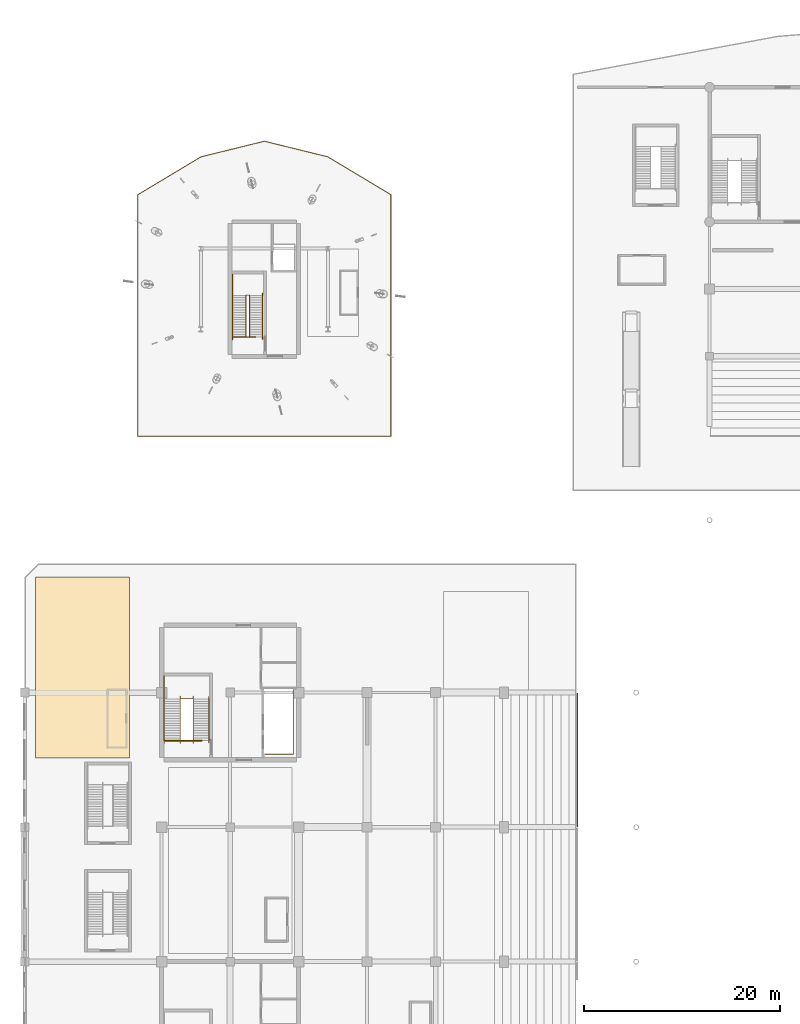
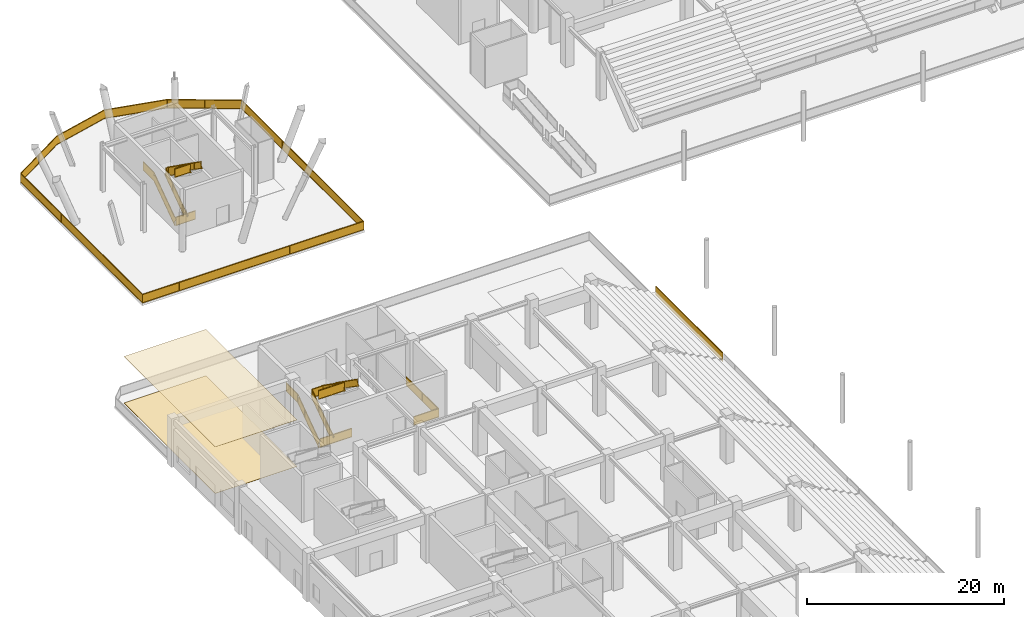
# One storey, part 68 of 73: 11 railings, 2 coverings.
"""IFC4 building model written with IfcOpenShell, lengths in metres."""

from ifc_helpers import new_model, si_unit, direction, frame, origin, origin_2d, place, context, subcontext, project, spatial, polyline, rectangle, outline, extrude, material, layer, layer_set, type_object, element, save


model = new_model("IFC4")

# Units and contexts
model_context = context("Model", 3, precision=1e-05, world=origin(), true_north=direction((0.0, 1.0)))
body_context = subcontext(model_context, "Body", "Model", "MODEL_VIEW")
ifc_project = project(units=[si_unit("LENGTHUNIT", "METRE"), si_unit("AREAUNIT", "SQUARE_METRE"), si_unit("VOLUMEUNIT", "CUBIC_METRE"), si_unit("PLANEANGLEUNIT", "RADIAN"), si_unit("MASSUNIT", "GRAM", prefix="KILO")], contexts=[model_context])

# Site, building, storey
site_placement = place(None, origin())
site = spatial("IfcSite", under=ifc_project, at=site_placement, CompositionType="ELEMENT")
building_placement = place(site_placement, origin())
building = spatial("IfcBuilding", under=site, at=building_placement, Name="Linyun Crest Stadium", CompositionType="ELEMENT")
storey_placement = place(building_placement, origin())
storey = spatial("IfcBuildingStorey", under=building, at=storey_placement, Name="L01", CompositionType="ELEMENT", Elevation=0.0)

# Coverings
ifc_material_1 = material(Name="Anodized aluminium baffle acoustic ceiling", Category="aluminium")
ifc_layer_1 = layer(ifc_material_1, 0.030029296875)
ifc_layer_set_1 = layer_set([ifc_layer_1], Name="Anodized aluminium baffle acoustic ceiling")
covering_type_1 = type_object("IfcCoveringType", Name="CLG02", PredefinedType="CEILING", material=ifc_layer_set_1)
covering_1_placement = place(storey_placement, frame((0.0, 0.0, 5.75)))
element("IfcCovering", 1, at=covering_1_placement, inside=storey, type_object=covering_type_1, Name="Suspended acoustic ceiling CLG02 9", PredefinedType="CEILING", context=body_context, shape_type="SweptSolid", body=[
    extrude(outline(polyline([(-96.89990234375, 36.699951171875), (-87.300048828125, 36.699951171875), (-87.300048828125, 55.199951171875), (-96.89990234375, 55.199951171875), (-96.89990234375, 36.699951171875)])), origin(), (0.0, 0.0, 1.0), 0.030029296875),
])
ifc_material_2 = material(Name="Polymeric cushioned multi-sport athletic flooring")
ifc_layer_2 = layer(ifc_material_2, 0.01806640625)
ifc_layer_set_2 = layer_set([ifc_layer_2], Name="Polymeric cushioned multi-sport athletic flooring")
covering_type_2 = type_object("IfcCoveringType", Name="FLR01", PredefinedType="FLOORING", material=ifc_layer_set_2)
covering_2_placement = place(storey_placement, origin())
element("IfcCovering", 2, at=covering_2_placement, inside=storey, type_object=covering_type_2, Name="Athletic flooring FLR01 8", PredefinedType="FLOORING", context=body_context, shape_type="SweptSolid", body=[
    extrude(outline(polyline([(-96.89990234375, 36.699951171875), (-87.300048828125, 36.699951171875), (-87.300048828125, 55.199951171875), (-96.89990234375, 55.199951171875), (-96.89990234375, 36.699951171875)])), origin(), (0.0, 0.0, 1.0), 0.01806640625),
])

# Railings
ifc_material_3 = material(Name="Galvanized and powder-coated steel bowl safety barrier", Category="steel")
railing_type_1 = type_object("IfcRailingType", Name="GR02", PredefinedType="GUARDRAIL", material=ifc_material_3)
railing_1_placement = place(storey_placement, frame((-41.5, 29.705078125, 1.199951171875)))
element("IfcRailing", 3, at=railing_1_placement, inside=storey, type_object=railing_type_1, Name="Bowl front safety guard GR02 49", PredefinedType="GUARDRAIL", context=body_context, shape_type="SweptSolid", body=[
    extrude(rectangle(XDim=0.06005859375, YDim=0.06005859375, at=origin_2d()), frame((0.0, 0.0, 1.090087890625), z_axis=(0.0, 1.0, 0.0), x_axis=(-1.0, 0.0, 0.0)), (0.0, 0.0, 1.0), 13.58984375),
    extrude(rectangle(XDim=0.030029296875, YDim=1.0, at=origin_2d()), frame((0.0, 0.0, 0.56005859375), z_axis=(0.0, 1.0, 0.0), x_axis=(-1.0, 0.0, 0.0)), (0.0, 0.0, 1.0), 13.58984375),
    extrude(rectangle(XDim=0.06005859375, YDim=0.06005859375, at=origin_2d()), frame((0.0, 0.0, 0.030029296875), z_axis=(0.0, 1.0, 0.0), x_axis=(-1.0, 0.0, 0.0)), (0.0, 0.0, 1.0), 13.58984375),
    extrude(rectangle(XDim=0.050048828125, YDim=0.050048828125, at=origin_2d()), origin(), (0.0, 0.0, 1.0), 1.1201171875),
    extrude(rectangle(XDim=0.050048828125, YDim=0.050048828125, at=origin_2d()), frame((0.0, 2.264892578125, 0.0)), (0.0, 0.0, 1.0), 1.1201171875),
    extrude(rectangle(XDim=0.050048828125, YDim=0.050048828125, at=origin_2d()), frame((0.0, 4.530029296875, 0.0)), (0.0, 0.0, 1.0), 1.1201171875),
    extrude(rectangle(XDim=0.050048828125, YDim=0.050048828125, at=origin_2d()), frame((0.0, 6.794921875, 0.0)), (0.0, 0.0, 1.0), 1.1201171875),
    extrude(rectangle(XDim=0.050048828125, YDim=0.050048828125, at=origin_2d()), frame((0.0, 9.059814453125, 0.0)), (0.0, 0.0, 1.0), 1.1201171875),
    extrude(rectangle(XDim=0.050048828125, YDim=0.050048828125, at=origin_2d()), frame((0.0, 11.324951171875, 0.0)), (0.0, 0.0, 1.0), 1.1201171875),
    extrude(rectangle(XDim=0.050048828125, YDim=0.050048828125, at=origin_2d()), frame((0.0, 13.58984375, 0.0)), (0.0, 0.0, 1.0), 1.1201171875),
])
railing_2_placement = place(storey_placement, frame((-73.419921875, 37.090087890625, 0.0)))
element("IfcRailing", 4, at=railing_2_placement, inside=storey, type_object=railing_type_1, Name="Slab edge balustrade GR02 15", PredefinedType="GUARDRAIL", context=body_context, shape_type="SweptSolid", body=[
    extrude(rectangle(XDim=0.06005859375, YDim=0.06005859375, at=origin_2d()), frame((0.0, 0.0, 1.090087890625), z_axis=(1.0, 0.0, 0.0), x_axis=(0.0, 1.0, 0.0)), (0.0, 0.0, 1.0), 2.8798828125),
    extrude(rectangle(XDim=0.030029296875, YDim=1.0, at=origin_2d()), frame((0.0, 0.0, 0.56005859375), z_axis=(1.0, 0.0, 0.0), x_axis=(0.0, 1.0, 0.0)), (0.0, 0.0, 1.0), 2.8798828125),
    extrude(rectangle(XDim=0.06005859375, YDim=0.06005859375, at=origin_2d()), frame((0.0, 0.0, 0.030029296875), z_axis=(1.0, 0.0, 0.0), x_axis=(0.0, 1.0, 0.0)), (0.0, 0.0, 1.0), 2.8798828125),
    extrude(rectangle(XDim=0.06005859375, YDim=0.06005859375, at=origin_2d()), frame((2.8798828125, 0.0, 1.090087890625), z_axis=(0.0, 1.0, 0.0), x_axis=(-1.0, 0.0, 0.0)), (0.0, 0.0, 1.0), 6.5498046875),
    extrude(rectangle(XDim=0.030029296875, YDim=1.0, at=origin_2d()), frame((2.8798828125, 0.0, 0.56005859375), z_axis=(0.0, 1.0, 0.0), x_axis=(-1.0, 0.0, 0.0)), (0.0, 0.0, 1.0), 6.5498046875),
    extrude(rectangle(XDim=0.06005859375, YDim=0.06005859375, at=origin_2d()), frame((2.8798828125, 0.0, 0.030029296875), z_axis=(0.0, 1.0, 0.0), x_axis=(-1.0, 0.0, 0.0)), (0.0, 0.0, 1.0), 6.5498046875),
    extrude(rectangle(XDim=0.050048828125, YDim=0.050048828125, at=origin_2d()), origin(), (0.0, 0.0, 1.0), 1.1201171875),
    extrude(rectangle(XDim=0.050048828125, YDim=0.050048828125, at=origin_2d()), frame((2.8798828125, 0.0, 0.0)), (0.0, 0.0, 1.0), 1.1201171875),
    extrude(rectangle(XDim=0.050048828125, YDim=0.050048828125, at=origin_2d()), frame((2.8798828125, 3.27490234375, 0.0)), (0.0, 0.0, 1.0), 1.1201171875),
    extrude(rectangle(XDim=0.050048828125, YDim=0.050048828125, at=origin_2d()), frame((2.8798828125, 6.5498046875, 0.0)), (0.0, 0.0, 1.0), 1.1201171875),
])
railing_3_placement = place(storey_placement, frame((-83.635009765625, 38.4599609375, 0.0)))
element("IfcRailing", 5, at=railing_3_placement, inside=storey, type_object=railing_type_1, Name="Slab edge balustrade GR02 17", PredefinedType="GUARDRAIL", context=body_context, shape_type="SweptSolid", body=[
    extrude(rectangle(XDim=0.06005859375, YDim=0.06005859375, at=origin_2d()), frame((0.0, 0.0, 1.090087890625), z_axis=(1.0, 0.0, 0.0), x_axis=(0.0, 1.0, 0.0)), (0.0, 0.0, 1.0), 3.735107421875),
    extrude(rectangle(XDim=0.030029296875, YDim=1.0, at=origin_2d()), frame((0.0, 0.0, 0.56005859375), z_axis=(1.0, 0.0, 0.0), x_axis=(0.0, 1.0, 0.0)), (0.0, 0.0, 1.0), 3.735107421875),
    extrude(rectangle(XDim=0.06005859375, YDim=0.06005859375, at=origin_2d()), frame((0.0, 0.0, 0.030029296875), z_axis=(1.0, 0.0, 0.0), x_axis=(0.0, 1.0, 0.0)), (0.0, 0.0, 1.0), 3.735107421875),
    extrude(rectangle(XDim=0.050048828125, YDim=0.050048828125, at=origin_2d()), origin(), (0.0, 0.0, 1.0), 1.1201171875),
    extrude(rectangle(XDim=0.050048828125, YDim=0.050048828125, at=origin_2d()), frame((3.735107421875, 0.0, 0.0)), (0.0, 0.0, 1.0), 1.1201171875),
])
railing_4_placement = place(storey_placement, frame((-86.43994140625, 69.56005859375, 0.0)))
element("IfcRailing", 6, at=railing_4_placement, inside=storey, type_object=railing_type_1, Name="Slab edge balustrade GR02 277", PredefinedType="GUARDRAIL", context=body_context, shape_type="SweptSolid", body=[
    extrude(rectangle(XDim=0.06005859375, YDim=0.06005859375, at=origin_2d()), frame((0.0, 0.0, 1.090087890625), z_axis=(0.0, 1.0, 0.0), x_axis=(-1.0, 0.0, 0.0)), (0.0, 0.0, 1.0), 24.7060546875),
    extrude(rectangle(XDim=0.030029296875, YDim=1.0, at=origin_2d()), frame((0.0, 0.0, 0.56005859375), z_axis=(0.0, 1.0, 0.0), x_axis=(-1.0, 0.0, 0.0)), (0.0, 0.0, 1.0), 24.7060546875),
    extrude(rectangle(XDim=0.06005859375, YDim=0.06005859375, at=origin_2d()), frame((0.0, 0.0, 0.030029296875), z_axis=(0.0, 1.0, 0.0), x_axis=(-1.0, 0.0, 0.0)), (0.0, 0.0, 1.0), 24.7060546875),
    extrude(rectangle(XDim=0.06005859375, YDim=0.06005859375, at=origin_2d()), frame((0.0, 24.7060546875, 1.090087890625), z_axis=(0.857481493024, 0.514514809429, 0.0), x_axis=(-0.514514809429, 0.857481493024, 0.0)), (0.0, 0.0, 1.0), 7.537109375),
    extrude(rectangle(XDim=0.030029296875, YDim=1.0, at=origin_2d()), frame((0.0, 24.7060546875, 0.56005859375), z_axis=(0.857481493024, 0.514514809429, 0.0), x_axis=(-0.514514809429, 0.857481493024, 0.0)), (0.0, 0.0, 1.0), 7.537109375),
    extrude(rectangle(XDim=0.06005859375, YDim=0.06005859375, at=origin_2d()), frame((0.0, 24.7060546875, 0.030029296875), z_axis=(0.857481493024, 0.514514809429, 0.0), x_axis=(-0.514514809429, 0.857481493024, 0.0)), (0.0, 0.0, 1.0), 7.537109375),
    extrude(rectangle(XDim=0.06005859375, YDim=0.06005859375, at=origin_2d()), frame((6.462890625, 28.583984375, 1.090087890625), z_axis=(0.971027293085, 0.238968608992, 0.0), x_axis=(-0.238968608992, 0.971027293085, 0.0)), (0.0, 0.0, 1.0), 6.67041015625),
    extrude(rectangle(XDim=0.030029296875, YDim=1.0, at=origin_2d()), frame((6.462890625, 28.583984375, 0.56005859375), z_axis=(0.971027293085, 0.238968608992, 0.0), x_axis=(-0.238968608992, 0.971027293085, 0.0)), (0.0, 0.0, 1.0), 6.67041015625),
    extrude(rectangle(XDim=0.06005859375, YDim=0.06005859375, at=origin_2d()), frame((6.462890625, 28.583984375, 0.030029296875), z_axis=(0.971027293085, 0.238968608992, 0.0), x_axis=(-0.238968608992, 0.971027293085, 0.0)), (0.0, 0.0, 1.0), 6.67041015625),
    extrude(rectangle(XDim=0.06005859375, YDim=0.06005859375, at=origin_2d()), frame((12.93994140625, 30.177978515625, 1.090087890625), z_axis=(0.971027293085, -0.238968608992, 0.0), x_axis=(0.238968608992, 0.971027293085, 0.0)), (0.0, 0.0, 1.0), 6.67041015625),
    extrude(rectangle(XDim=0.030029296875, YDim=1.0, at=origin_2d()), frame((12.93994140625, 30.177978515625, 0.56005859375), z_axis=(0.971027293085, -0.238968608992, 0.0), x_axis=(0.238968608992, 0.971027293085, 0.0)), (0.0, 0.0, 1.0), 6.67041015625),
    extrude(rectangle(XDim=0.06005859375, YDim=0.06005859375, at=origin_2d()), frame((12.93994140625, 30.177978515625, 0.030029296875), z_axis=(0.971027293085, -0.238968608992, 0.0), x_axis=(0.238968608992, 0.971027293085, 0.0)), (0.0, 0.0, 1.0), 6.67041015625),
    extrude(rectangle(XDim=0.06005859375, YDim=0.06005859375, at=origin_2d()), frame((19.4169921875, 28.583984375, 1.090087890625), z_axis=(0.857481493024, -0.514514809429, 0.0), x_axis=(0.514514809429, 0.857481493024, 0.0)), (0.0, 0.0, 1.0), 7.537109375),
    extrude(rectangle(XDim=0.030029296875, YDim=1.0, at=origin_2d()), frame((19.4169921875, 28.583984375, 0.56005859375), z_axis=(0.857481493024, -0.514514809429, 0.0), x_axis=(0.514514809429, 0.857481493024, 0.0)), (0.0, 0.0, 1.0), 7.537109375),
    extrude(rectangle(XDim=0.06005859375, YDim=0.06005859375, at=origin_2d()), frame((19.4169921875, 28.583984375, 0.030029296875), z_axis=(0.857481493024, -0.514514809429, 0.0), x_axis=(0.514514809429, 0.857481493024, 0.0)), (0.0, 0.0, 1.0), 7.537109375),
    extrude(rectangle(XDim=0.06005859375, YDim=0.06005859375, at=origin_2d()), frame((25.8798828125, 24.7060546875, 1.090087890625), z_axis=(0.0, -1.0, 0.0), x_axis=(1.0, 0.0, 0.0)), (0.0, 0.0, 1.0), 24.7060546875),
    extrude(rectangle(XDim=0.030029296875, YDim=1.0, at=origin_2d()), frame((25.8798828125, 24.7060546875, 0.56005859375), z_axis=(0.0, -1.0, 0.0), x_axis=(1.0, 0.0, 0.0)), (0.0, 0.0, 1.0), 24.7060546875),
    extrude(rectangle(XDim=0.06005859375, YDim=0.06005859375, at=origin_2d()), frame((25.8798828125, 24.7060546875, 0.030029296875), z_axis=(0.0, -1.0, 0.0), x_axis=(1.0, 0.0, 0.0)), (0.0, 0.0, 1.0), 24.7060546875),
    extrude(rectangle(XDim=0.06005859375, YDim=0.06005859375, at=origin_2d()), frame((25.8798828125, 0.0, 1.090087890625), z_axis=(-1.0, 0.0, 0.0), x_axis=(0.0, -1.0, 0.0)), (0.0, 0.0, 1.0), 25.8798828125),
    extrude(rectangle(XDim=0.030029296875, YDim=1.0, at=origin_2d()), frame((25.8798828125, 0.0, 0.56005859375), z_axis=(-1.0, 0.0, 0.0), x_axis=(0.0, -1.0, 0.0)), (0.0, 0.0, 1.0), 25.8798828125),
    extrude(rectangle(XDim=0.06005859375, YDim=0.06005859375, at=origin_2d()), frame((25.8798828125, 0.0, 0.030029296875), z_axis=(-1.0, 0.0, 0.0), x_axis=(0.0, -1.0, 0.0)), (0.0, 0.0, 1.0), 25.8798828125),
    extrude(rectangle(XDim=0.050048828125, YDim=0.050048828125, at=origin_2d()), origin(), (0.0, 0.0, 1.0), 1.1201171875),
    extrude(rectangle(XDim=0.050048828125, YDim=0.050048828125, at=origin_2d()), frame((0.0, 4.11767578125, 0.0)), (0.0, 0.0, 1.0), 1.1201171875),
    extrude(rectangle(XDim=0.050048828125, YDim=0.050048828125, at=origin_2d()), frame((0.0, 8.2353515625, 0.0)), (0.0, 0.0, 1.0), 1.1201171875),
    extrude(rectangle(XDim=0.050048828125, YDim=0.050048828125, at=origin_2d()), frame((0.0, 12.35302734375, 0.0)), (0.0, 0.0, 1.0), 1.1201171875),
    extrude(rectangle(XDim=0.050048828125, YDim=0.050048828125, at=origin_2d()), frame((0.0, 16.470703125, 0.0)), (0.0, 0.0, 1.0), 1.1201171875),
    extrude(rectangle(XDim=0.050048828125, YDim=0.050048828125, at=origin_2d()), frame((0.0, 20.58837890625, 0.0)), (0.0, 0.0, 1.0), 1.1201171875),
    extrude(rectangle(XDim=0.050048828125, YDim=0.050048828125, at=origin_2d()), frame((0.0, 24.7060546875, 0.0)), (0.0, 0.0, 1.0), 1.1201171875),
    extrude(rectangle(XDim=0.050048828125, YDim=0.050048828125, at=origin_2d()), frame((3.2314453125, 26.64501953125, 0.0)), (0.0, 0.0, 1.0), 1.1201171875),
    extrude(rectangle(XDim=0.050048828125, YDim=0.050048828125, at=origin_2d()), frame((6.462890625, 28.583984375, 0.0)), (0.0, 0.0, 1.0), 1.1201171875),
    extrude(rectangle(XDim=0.050048828125, YDim=0.050048828125, at=origin_2d()), frame((9.701416015625, 29.380859375, 0.0)), (0.0, 0.0, 1.0), 1.1201171875),
    extrude(rectangle(XDim=0.050048828125, YDim=0.050048828125, at=origin_2d()), frame((12.93994140625, 30.177978515625, 0.0)), (0.0, 0.0, 1.0), 1.1201171875),
    extrude(rectangle(XDim=0.050048828125, YDim=0.050048828125, at=origin_2d()), frame((16.178466796875, 29.380859375, 0.0)), (0.0, 0.0, 1.0), 1.1201171875),
    extrude(rectangle(XDim=0.050048828125, YDim=0.050048828125, at=origin_2d()), frame((19.4169921875, 28.583984375, 0.0)), (0.0, 0.0, 1.0), 1.1201171875),
    extrude(rectangle(XDim=0.050048828125, YDim=0.050048828125, at=origin_2d()), frame((22.6484375, 26.64501953125, 0.0)), (0.0, 0.0, 1.0), 1.1201171875),
    extrude(rectangle(XDim=0.050048828125, YDim=0.050048828125, at=origin_2d()), frame((25.8798828125, 24.7060546875, 0.0)), (0.0, 0.0, 1.0), 1.1201171875),
    extrude(rectangle(XDim=0.050048828125, YDim=0.050048828125, at=origin_2d()), frame((25.8798828125, 20.58837890625, 0.0)), (0.0, 0.0, 1.0), 1.1201171875),
    extrude(rectangle(XDim=0.050048828125, YDim=0.050048828125, at=origin_2d()), frame((25.8798828125, 16.470703125, 0.0)), (0.0, 0.0, 1.0), 1.1201171875),
    extrude(rectangle(XDim=0.050048828125, YDim=0.050048828125, at=origin_2d()), frame((25.8798828125, 12.35302734375, 0.0)), (0.0, 0.0, 1.0), 1.1201171875),
    extrude(rectangle(XDim=0.050048828125, YDim=0.050048828125, at=origin_2d()), frame((25.8798828125, 8.2353515625, 0.0)), (0.0, 0.0, 1.0), 1.1201171875),
    extrude(rectangle(XDim=0.050048828125, YDim=0.050048828125, at=origin_2d()), frame((25.8798828125, 4.11767578125, 0.0)), (0.0, 0.0, 1.0), 1.1201171875),
    extrude(rectangle(XDim=0.050048828125, YDim=0.050048828125, at=origin_2d()), frame((25.8798828125, 0.0, 0.0)), (0.0, 0.0, 1.0), 1.1201171875),
    extrude(rectangle(XDim=0.050048828125, YDim=0.050048828125, at=origin_2d()), frame((21.566650390625, 0.0, 0.0)), (0.0, 0.0, 1.0), 1.1201171875),
    extrude(rectangle(XDim=0.050048828125, YDim=0.050048828125, at=origin_2d()), frame((17.253173828125, 0.0, 0.0)), (0.0, 0.0, 1.0), 1.1201171875),
    extrude(rectangle(XDim=0.050048828125, YDim=0.050048828125, at=origin_2d()), frame((12.93994140625, 0.0, 0.0)), (0.0, 0.0, 1.0), 1.1201171875),
    extrude(rectangle(XDim=0.050048828125, YDim=0.050048828125, at=origin_2d()), frame((8.626708984375, 0.0, 0.0)), (0.0, 0.0, 1.0), 1.1201171875),
    extrude(rectangle(XDim=0.050048828125, YDim=0.050048828125, at=origin_2d()), frame((4.313232421875, 0.0, 0.0)), (0.0, 0.0, 1.0), 1.1201171875),
])
railing_5_placement = place(storey_placement, frame((-76.659912109375, 79.7099609375, 0.0)))
element("IfcRailing", 7, at=railing_5_placement, inside=storey, type_object=railing_type_1, Name="Slab edge balustrade GR02 279", PredefinedType="GUARDRAIL", context=body_context, shape_type="SweptSolid", body=[
    extrude(rectangle(XDim=0.06005859375, YDim=0.06005859375, at=origin_2d()), frame((0.0, 0.0, 1.090087890625), z_axis=(1.0, 0.0, 0.0), x_axis=(0.0, 1.0, 0.0)), (0.0, 0.0, 1.0), 2.260009765625),
    extrude(rectangle(XDim=0.030029296875, YDim=1.0, at=origin_2d()), frame((0.0, 0.0, 0.56005859375), z_axis=(1.0, 0.0, 0.0), x_axis=(0.0, 1.0, 0.0)), (0.0, 0.0, 1.0), 2.260009765625),
    extrude(rectangle(XDim=0.06005859375, YDim=0.06005859375, at=origin_2d()), frame((0.0, 0.0, 0.030029296875), z_axis=(1.0, 0.0, 0.0), x_axis=(0.0, 1.0, 0.0)), (0.0, 0.0, 1.0), 2.260009765625),
    extrude(rectangle(XDim=0.050048828125, YDim=0.050048828125, at=origin_2d()), origin(), (0.0, 0.0, 1.0), 1.1201171875),
    extrude(rectangle(XDim=0.050048828125, YDim=0.050048828125, at=origin_2d()), frame((2.260009765625, 0.0, 0.0)), (0.0, 0.0, 1.0), 1.1201171875),
])
ifc_material_4 = material(Name="Painted steel stairwell safety guard", Category="steel")
railing_type_2 = type_object("IfcRailingType", Name="GR03", PredefinedType="GUARDRAIL", material=ifc_material_4)
railing_6_placement = place(storey_placement, frame((-83.7451171875, 38.489990234375, 0.0)))
element("IfcRailing", 8, at=railing_6_placement, inside=storey, type_object=railing_type_2, Name="STR-03-L01 outer guard", PredefinedType="GUARDRAIL", context=body_context, shape_type="SweptSolid", body=[
    extrude(rectangle(XDim=0.06005859375, YDim=0.06005859375, at=origin_2d()), frame((0.0, 0.0, 1.090087890625), z_axis=(0.0, 0.816967863265, 0.576683197599), x_axis=(-1.0, 0.0, 0.0)), (0.0, 0.0, 1.0), 5.2021484375),
    extrude(rectangle(XDim=0.030029296875, YDim=1.0, at=origin_2d()), frame((0.0, 0.0, 0.56005859375), z_axis=(0.0, 0.816967863265, 0.576683197599), x_axis=(-1.0, 0.0, 0.0)), (0.0, 0.0, 1.0), 5.2021484375),
    extrude(rectangle(XDim=0.06005859375, YDim=0.06005859375, at=origin_2d()), frame((0.0, 0.0, 0.030029296875), z_axis=(0.0, 0.816967863265, 0.576683197599), x_axis=(-1.0, 0.0, 0.0)), (0.0, 0.0, 1.0), 5.2021484375),
    extrude(rectangle(XDim=0.06005859375, YDim=0.06005859375, at=origin_2d()), frame((0.0, 4.25, 4.090087890625), z_axis=(0.0, 1.0, 0.0), x_axis=(-1.0, 0.0, 0.0)), (0.0, 0.0, 1.0), 2.330078125),
    extrude(rectangle(XDim=0.030029296875, YDim=1.0, at=origin_2d()), frame((0.0, 4.25, 3.56005859375), z_axis=(0.0, 1.0, 0.0), x_axis=(-1.0, 0.0, 0.0)), (0.0, 0.0, 1.0), 2.330078125),
    extrude(rectangle(XDim=0.06005859375, YDim=0.06005859375, at=origin_2d()), frame((0.0, 4.25, 3.030029296875), z_axis=(0.0, 1.0, 0.0), x_axis=(-1.0, 0.0, 0.0)), (0.0, 0.0, 1.0), 2.330078125),
    extrude(rectangle(XDim=0.050048828125, YDim=0.050048828125, at=origin_2d()), origin(), (0.0, 0.0, 1.0), 1.1201171875),
    extrude(rectangle(XDim=0.050048828125, YDim=0.050048828125, at=origin_2d()), frame((0.0, 1.416748046875, 1.0)), (0.0, 0.0, 1.0), 1.1201171875),
    extrude(rectangle(XDim=0.050048828125, YDim=0.050048828125, at=origin_2d()), frame((0.0, 2.833251953125, 2.0)), (0.0, 0.0, 1.0), 1.1201171875),
    extrude(rectangle(XDim=0.050048828125, YDim=0.050048828125, at=origin_2d()), frame((0.0, 4.25, 3.0)), (0.0, 0.0, 1.0), 1.1201171875),
    extrude(rectangle(XDim=0.050048828125, YDim=0.050048828125, at=origin_2d()), frame((0.0, 5.4150390625, 3.0)), (0.0, 0.0, 1.0), 1.1201171875),
    extrude(rectangle(XDim=0.050048828125, YDim=0.050048828125, at=origin_2d()), frame((0.0, 6.580078125, 3.0)), (0.0, 0.0, 1.0), 1.1201171875),
])
railing_7_placement = place(storey_placement, frame((-82.10498046875, 38.469970703125, 0.0)))
element("IfcRailing", 9, at=railing_7_placement, inside=storey, type_object=railing_type_2, Name="STR-03-L01 inner well guard", PredefinedType="GUARDRAIL", context=body_context, shape_type="SweptSolid", body=[
    extrude(rectangle(XDim=0.06005859375, YDim=0.06005859375, at=origin_2d()), frame((0.0, 0.0, 1.090087890625), z_axis=(0.0, 0.818241657069, 0.574874412926), x_axis=(-1.0, 0.0, 0.0)), (0.0, 0.0, 1.0), 5.218505859375),
    extrude(rectangle(XDim=0.030029296875, YDim=1.0, at=origin_2d()), frame((0.0, 0.0, 0.56005859375), z_axis=(0.0, 0.818241657069, 0.574874412926), x_axis=(-1.0, 0.0, 0.0)), (0.0, 0.0, 1.0), 5.218505859375),
    extrude(rectangle(XDim=0.06005859375, YDim=0.06005859375, at=origin_2d()), frame((0.0, 0.0, 0.030029296875), z_axis=(0.0, 0.818241657069, 0.574874412926), x_axis=(-1.0, 0.0, 0.0)), (0.0, 0.0, 1.0), 5.218505859375),
    extrude(rectangle(XDim=0.06005859375, YDim=0.06005859375, at=origin_2d()), frame((0.0, 4.27001953125, 4.090087890625), z_axis=(1.0, 0.0, 0.0), x_axis=(0.0, 1.0, 0.0)), (0.0, 0.0, 1.0), 1.3349609375),
    extrude(rectangle(XDim=0.030029296875, YDim=1.0, at=origin_2d()), frame((0.0, 4.27001953125, 3.56005859375), z_axis=(1.0, 0.0, 0.0), x_axis=(0.0, 1.0, 0.0)), (0.0, 0.0, 1.0), 1.3349609375),
    extrude(rectangle(XDim=0.06005859375, YDim=0.06005859375, at=origin_2d()), frame((0.0, 4.27001953125, 3.030029296875), z_axis=(1.0, 0.0, 0.0), x_axis=(0.0, 1.0, 0.0)), (0.0, 0.0, 1.0), 1.3349609375),
    extrude(rectangle(XDim=0.06005859375, YDim=0.06005859375, at=origin_2d()), frame((1.3349609375, 4.27001953125, 4.090087890625), z_axis=(0.0, -0.818241657069, 0.574874412926), x_axis=(1.0, 0.0, 0.0)), (0.0, 0.0, 1.0), 5.218505859375),
    extrude(rectangle(XDim=0.030029296875, YDim=1.0, at=origin_2d()), frame((1.3349609375, 4.27001953125, 3.56005859375), z_axis=(0.0, -0.818241657069, 0.574874412926), x_axis=(1.0, 0.0, 0.0)), (0.0, 0.0, 1.0), 5.218505859375),
    extrude(rectangle(XDim=0.06005859375, YDim=0.06005859375, at=origin_2d()), frame((1.3349609375, 4.27001953125, 3.030029296875), z_axis=(0.0, -0.818241657069, 0.574874412926), x_axis=(1.0, 0.0, 0.0)), (0.0, 0.0, 1.0), 5.218505859375),
    extrude(rectangle(XDim=0.06005859375, YDim=0.06005859375, at=origin_2d()), frame((1.3349609375, 0.0, 7.090087890625), z_axis=(-1.0, 0.0, 0.0), x_axis=(0.0, -1.0, 0.0)), (0.0, 0.0, 1.0), 2.98486328125),
    extrude(rectangle(XDim=0.030029296875, YDim=1.0, at=origin_2d()), frame((1.3349609375, 0.0, 6.56005859375), z_axis=(-1.0, 0.0, 0.0), x_axis=(0.0, -1.0, 0.0)), (0.0, 0.0, 1.0), 2.98486328125),
    extrude(rectangle(XDim=0.06005859375, YDim=0.06005859375, at=origin_2d()), frame((1.3349609375, 0.0, 6.030029296875), z_axis=(-1.0, 0.0, 0.0), x_axis=(0.0, -1.0, 0.0)), (0.0, 0.0, 1.0), 2.98486328125),
    extrude(rectangle(XDim=0.050048828125, YDim=0.050048828125, at=origin_2d()), origin(), (0.0, 0.0, 1.0), 1.1201171875),
    extrude(rectangle(XDim=0.050048828125, YDim=0.050048828125, at=origin_2d()), frame((0.0, 1.42333984375, 1.0)), (0.0, 0.0, 1.0), 1.1201171875),
    extrude(rectangle(XDim=0.050048828125, YDim=0.050048828125, at=origin_2d()), frame((0.0, 2.8466796875, 2.0)), (0.0, 0.0, 1.0), 1.1201171875),
    extrude(rectangle(XDim=0.050048828125, YDim=0.050048828125, at=origin_2d()), frame((0.0, 4.27001953125, 3.0)), (0.0, 0.0, 1.0), 1.1201171875),
    extrude(rectangle(XDim=0.050048828125, YDim=0.050048828125, at=origin_2d()), frame((1.3349609375, 4.27001953125, 3.0)), (0.0, 0.0, 1.0), 1.1201171875),
    extrude(rectangle(XDim=0.050048828125, YDim=0.050048828125, at=origin_2d()), frame((1.3349609375, 2.8466796875, 4.0)), (0.0, 0.0, 1.0), 1.1201171875),
    extrude(rectangle(XDim=0.050048828125, YDim=0.050048828125, at=origin_2d()), frame((1.3349609375, 1.42333984375, 5.0)), (0.0, 0.0, 1.0), 1.1201171875),
    extrude(rectangle(XDim=0.050048828125, YDim=0.050048828125, at=origin_2d()), frame((1.3349609375, 0.0, 6.0)), (0.0, 0.0, 1.0), 1.1201171875),
    extrude(rectangle(XDim=0.050048828125, YDim=0.050048828125, at=origin_2d()), frame((-0.157470703125, 0.0, 6.0)), (0.0, 0.0, 1.0), 1.1201171875),
    extrude(rectangle(XDim=0.050048828125, YDim=0.050048828125, at=origin_2d()), frame((-1.64990234375, 0.0, 6.0)), (0.0, 0.0, 1.0), 1.1201171875),
])
railing_8_placement = place(storey_placement, frame((-76.77001953125, 79.739990234375, 0.0)))
element("IfcRailing", 10, at=railing_8_placement, inside=storey, type_object=railing_type_2, Name="STR-11-L01 outer guard", PredefinedType="GUARDRAIL", context=body_context, shape_type="SweptSolid", body=[
    extrude(rectangle(XDim=0.06005859375, YDim=0.06005859375, at=origin_2d()), frame((0.0, 0.0, 1.090087890625), z_axis=(0.0, 0.816967863265, 0.576683197599), x_axis=(-1.0, 0.0, 0.0)), (0.0, 0.0, 1.0), 5.2021484375),
    extrude(rectangle(XDim=0.030029296875, YDim=1.0, at=origin_2d()), frame((0.0, 0.0, 0.56005859375), z_axis=(0.0, 0.816967863265, 0.576683197599), x_axis=(-1.0, 0.0, 0.0)), (0.0, 0.0, 1.0), 5.2021484375),
    extrude(rectangle(XDim=0.06005859375, YDim=0.06005859375, at=origin_2d()), frame((0.0, 0.0, 0.030029296875), z_axis=(0.0, 0.816967863265, 0.576683197599), x_axis=(-1.0, 0.0, 0.0)), (0.0, 0.0, 1.0), 5.2021484375),
    extrude(rectangle(XDim=0.06005859375, YDim=0.06005859375, at=origin_2d()), frame((0.0, 4.25, 4.090087890625), z_axis=(0.0, 1.0, 0.0), x_axis=(-1.0, 0.0, 0.0)), (0.0, 0.0, 1.0), 2.130126953125),
    extrude(rectangle(XDim=0.030029296875, YDim=1.0, at=origin_2d()), frame((0.0, 4.25, 3.56005859375), z_axis=(0.0, 1.0, 0.0), x_axis=(-1.0, 0.0, 0.0)), (0.0, 0.0, 1.0), 2.130126953125),
    extrude(rectangle(XDim=0.06005859375, YDim=0.06005859375, at=origin_2d()), frame((0.0, 4.25, 3.030029296875), z_axis=(0.0, 1.0, 0.0), x_axis=(-1.0, 0.0, 0.0)), (0.0, 0.0, 1.0), 2.130126953125),
    extrude(rectangle(XDim=0.050048828125, YDim=0.050048828125, at=origin_2d()), origin(), (0.0, 0.0, 1.0), 1.1201171875),
    extrude(rectangle(XDim=0.050048828125, YDim=0.050048828125, at=origin_2d()), frame((0.0, 1.416748046875, 1.0)), (0.0, 0.0, 1.0), 1.1201171875),
    extrude(rectangle(XDim=0.050048828125, YDim=0.050048828125, at=origin_2d()), frame((0.0, 2.833251953125, 2.0)), (0.0, 0.0, 1.0), 1.1201171875),
    extrude(rectangle(XDim=0.050048828125, YDim=0.050048828125, at=origin_2d()), frame((0.0, 4.25, 3.0)), (0.0, 0.0, 1.0), 1.1201171875),
    extrude(rectangle(XDim=0.050048828125, YDim=0.050048828125, at=origin_2d()), frame((0.0, 5.31494140625, 3.0)), (0.0, 0.0, 1.0), 1.1201171875),
    extrude(rectangle(XDim=0.050048828125, YDim=0.050048828125, at=origin_2d()), frame((0.0, 6.380126953125, 3.0)), (0.0, 0.0, 1.0), 1.1201171875),
])
railing_9_placement = place(storey_placement, frame((-75.3798828125, 79.719970703125, 0.0)))
element("IfcRailing", 11, at=railing_9_placement, inside=storey, type_object=railing_type_2, Name="STR-11-L01 inner well guard", PredefinedType="GUARDRAIL", context=body_context, shape_type="SweptSolid", body=[
    extrude(rectangle(XDim=0.06005859375, YDim=0.06005859375, at=origin_2d()), frame((0.0, 0.0, 1.090087890625), z_axis=(0.0, 0.818241657069, 0.574874412926), x_axis=(-1.0, 0.0, 0.0)), (0.0, 0.0, 1.0), 5.218505859375),
    extrude(rectangle(XDim=0.030029296875, YDim=1.0, at=origin_2d()), frame((0.0, 0.0, 0.56005859375), z_axis=(0.0, 0.818241657069, 0.574874412926), x_axis=(-1.0, 0.0, 0.0)), (0.0, 0.0, 1.0), 5.218505859375),
    extrude(rectangle(XDim=0.06005859375, YDim=0.06005859375, at=origin_2d()), frame((0.0, 0.0, 0.030029296875), z_axis=(0.0, 0.818241657069, 0.574874412926), x_axis=(-1.0, 0.0, 0.0)), (0.0, 0.0, 1.0), 5.218505859375),
    extrude(rectangle(XDim=0.06005859375, YDim=0.06005859375, at=origin_2d()), frame((0.0, 4.27001953125, 4.090087890625), z_axis=(1.0, 0.0, 0.0), x_axis=(0.0, 1.0, 0.0)), (0.0, 0.0, 1.0), 0.35986328125),
    extrude(rectangle(XDim=0.030029296875, YDim=1.0, at=origin_2d()), frame((0.0, 4.27001953125, 3.56005859375), z_axis=(1.0, 0.0, 0.0), x_axis=(0.0, 1.0, 0.0)), (0.0, 0.0, 1.0), 0.35986328125),
    extrude(rectangle(XDim=0.06005859375, YDim=0.06005859375, at=origin_2d()), frame((0.0, 4.27001953125, 3.030029296875), z_axis=(1.0, 0.0, 0.0), x_axis=(0.0, 1.0, 0.0)), (0.0, 0.0, 1.0), 0.35986328125),
    extrude(rectangle(XDim=0.06005859375, YDim=0.06005859375, at=origin_2d()), frame((0.35986328125, 4.27001953125, 4.090087890625), z_axis=(0.0, -0.818241657069, 0.574874412926), x_axis=(1.0, 0.0, 0.0)), (0.0, 0.0, 1.0), 5.218505859375),
    extrude(rectangle(XDim=0.030029296875, YDim=1.0, at=origin_2d()), frame((0.35986328125, 4.27001953125, 3.56005859375), z_axis=(0.0, -0.818241657069, 0.574874412926), x_axis=(1.0, 0.0, 0.0)), (0.0, 0.0, 1.0), 5.218505859375),
    extrude(rectangle(XDim=0.06005859375, YDim=0.06005859375, at=origin_2d()), frame((0.35986328125, 4.27001953125, 3.030029296875), z_axis=(0.0, -0.818241657069, 0.574874412926), x_axis=(1.0, 0.0, 0.0)), (0.0, 0.0, 1.0), 5.218505859375),
    extrude(rectangle(XDim=0.06005859375, YDim=0.06005859375, at=origin_2d()), frame((0.35986328125, 0.0, 7.090087890625), z_axis=(-1.0, 0.0, 0.0), x_axis=(0.0, -1.0, 0.0)), (0.0, 0.0, 1.0), 1.760009765625),
    extrude(rectangle(XDim=0.030029296875, YDim=1.0, at=origin_2d()), frame((0.35986328125, 0.0, 6.56005859375), z_axis=(-1.0, 0.0, 0.0), x_axis=(0.0, -1.0, 0.0)), (0.0, 0.0, 1.0), 1.760009765625),
    extrude(rectangle(XDim=0.06005859375, YDim=0.06005859375, at=origin_2d()), frame((0.35986328125, 0.0, 6.030029296875), z_axis=(-1.0, 0.0, 0.0), x_axis=(0.0, -1.0, 0.0)), (0.0, 0.0, 1.0), 1.760009765625),
    extrude(rectangle(XDim=0.050048828125, YDim=0.050048828125, at=origin_2d()), origin(), (0.0, 0.0, 1.0), 1.1201171875),
    extrude(rectangle(XDim=0.050048828125, YDim=0.050048828125, at=origin_2d()), frame((0.0, 1.42333984375, 1.0)), (0.0, 0.0, 1.0), 1.1201171875),
    extrude(rectangle(XDim=0.050048828125, YDim=0.050048828125, at=origin_2d()), frame((0.0, 2.8466796875, 2.0)), (0.0, 0.0, 1.0), 1.1201171875),
    extrude(rectangle(XDim=0.050048828125, YDim=0.050048828125, at=origin_2d()), frame((0.0, 4.27001953125, 3.0)), (0.0, 0.0, 1.0), 1.1201171875),
    extrude(rectangle(XDim=0.050048828125, YDim=0.050048828125, at=origin_2d()), frame((0.35986328125, 4.27001953125, 3.0)), (0.0, 0.0, 1.0), 1.1201171875),
    extrude(rectangle(XDim=0.050048828125, YDim=0.050048828125, at=origin_2d()), frame((0.35986328125, 2.8466796875, 4.0)), (0.0, 0.0, 1.0), 1.1201171875),
    extrude(rectangle(XDim=0.050048828125, YDim=0.050048828125, at=origin_2d()), frame((0.35986328125, 1.42333984375, 5.0)), (0.0, 0.0, 1.0), 1.1201171875),
    extrude(rectangle(XDim=0.050048828125, YDim=0.050048828125, at=origin_2d()), frame((0.35986328125, 0.0, 6.0)), (0.0, 0.0, 1.0), 1.1201171875),
    extrude(rectangle(XDim=0.050048828125, YDim=0.050048828125, at=origin_2d()), frame((-1.400146484375, 0.0, 6.0)), (0.0, 0.0, 1.0), 1.1201171875),
])
ifc_material_5 = material(Name="Brushed stainless steel tubular handrail", Category="steel")
railing_type_3 = type_object("IfcRailingType", Name="HR01", PredefinedType="HANDRAIL", material=ifc_material_5)
for number, where, name in (
    (12, (-79.179931640625, 42.739990234375, 3.0), "STR-03-L01 handrail"),
    (13, (-73.679931640625, 83.989990234375, 3.0), "STR-11-L01 handrail"),
):
    element("IfcRailing", number, at=place(storey_placement, frame(where)), inside=storey, type_object=railing_type_3, Name=name, PredefinedType="HANDRAIL", context=body_context, shape_type="SweptSolid", body=[
        extrude(rectangle(XDim=0.06005859375, YDim=0.06005859375, at=origin_2d()), frame((0.0, 0.0, 0.889892578125), z_axis=(0.0, -0.816967863265, 0.576683197599), x_axis=(1.0, 0.0, 0.0)), (0.0, 0.0, 1.0), 5.2021484375),
        extrude(rectangle(XDim=0.030029296875, YDim=0.7998046875, at=origin_2d()), frame((0.0, 0.0, 0.4599609375), z_axis=(0.0, -0.816967863265, 0.576683197599), x_axis=(1.0, 0.0, 0.0)), (0.0, 0.0, 1.0), 5.2021484375),
        extrude(rectangle(XDim=0.06005859375, YDim=0.06005859375, at=origin_2d()), frame((0.0, 0.0, 0.030029296875), z_axis=(0.0, -0.816967863265, 0.576683197599), x_axis=(1.0, 0.0, 0.0)), (0.0, 0.0, 1.0), 5.2021484375),
        extrude(rectangle(XDim=0.050048828125, YDim=0.050048828125, at=origin_2d()), origin(), (0.0, 0.0, 1.0), 0.919921875),
        extrude(rectangle(XDim=0.050048828125, YDim=0.050048828125, at=origin_2d()), frame((0.0, -1.416748046875, 1.0)), (0.0, 0.0, 1.0), 0.919921875),
        extrude(rectangle(XDim=0.050048828125, YDim=0.050048828125, at=origin_2d()), frame((0.0, -2.833251953125, 2.0)), (0.0, 0.0, 1.0), 0.919921875),
        extrude(rectangle(XDim=0.050048828125, YDim=0.050048828125, at=origin_2d()), frame((0.0, -4.25, 3.0)), (0.0, 0.0, 1.0), 0.919921875),
    ])

save(model, "model.ifc")
